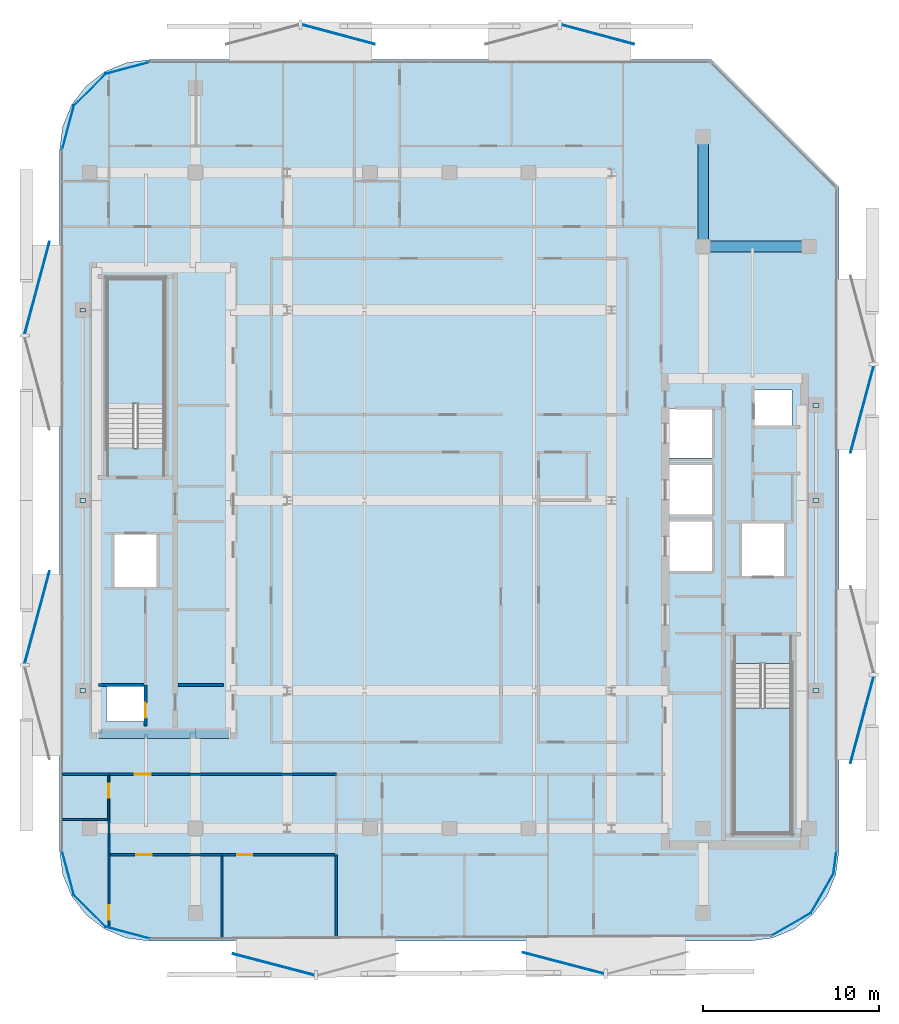
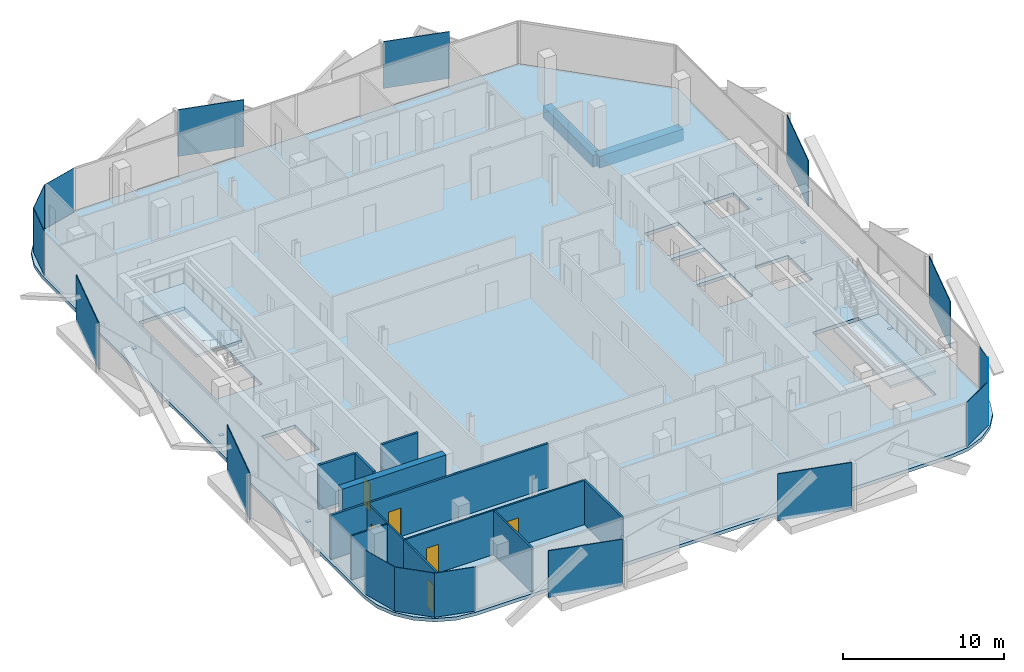
# One storey, part 2 of 15: 23 plates, 14 walls, 6 doors, 3 slabs, 2 beams, 6 openings, 2 elements without a shape of their own.
"""IFC4 building model written with IfcOpenShell, lengths in metres."""

from ifc_helpers import new_model, si_unit, direction, frame, frame_2d, origin, origin_2d, place, context, subcontext, project, spatial, polyline, rectangle, outline, extrude, material, layer, layer_set, material_profile, profile_set, type_object, element, fill, aggregate, save


model = new_model("IFC4")

# Units and contexts
model_context = context("Model", 3, precision=1e-05, world=origin(), true_north=direction((0.0, 1.0)))
body_context = subcontext(model_context, "Body", "Model", "MODEL_VIEW")
ifc_project = project(units=[si_unit("LENGTHUNIT", "METRE"), si_unit("AREAUNIT", "SQUARE_METRE"), si_unit("VOLUMEUNIT", "CUBIC_METRE"), si_unit("PLANEANGLEUNIT", "RADIAN"), si_unit("MASSUNIT", "GRAM", prefix="KILO")], contexts=[model_context])

# Site, building, storey
site_placement = place(None, origin())
site = spatial("IfcSite", under=ifc_project, at=site_placement, CompositionType="ELEMENT")
building_placement = place(site_placement, origin())
building = spatial("IfcBuilding", under=site, at=building_placement, Name="Khairoan Windgate Tower", CompositionType="ELEMENT")
storey_placement = place(building_placement, frame((0.0, 0.0, 254.800048828125)))
storey = spatial("IfcBuildingStorey", under=building, at=storey_placement, Name="L60", CompositionType="ELEMENT", Elevation=254.800048828125)

# Beams
ifc_material_1 = material(Name="Concrete C50/60", Category="concrete")
ifc_material_profile = material_profile(ifc_material_1, rectangle(XDim=0.60009765625, YDim=0.89990234375, at=origin_2d()))
ifc_profile_set = profile_set([ifc_material_profile], Name="Concrete C50/60")
beam_type = type_object("IfcBeamType", Name="Beam B-RC1 RC600x900", PredefinedType="BEAM", material=ifc_profile_set)
beam_1_placement = place(storey_placement, frame((14.39990234375, 14.39990234375, -0.7099609375), z_axis=(1.0, 0.0, 0.0), x_axis=(0.0, 1.0, 0.0)))
element("IfcBeam", 1, at=beam_1_placement, inside=storey, type_object=beam_type, Name="L60 E-W Primary Girder 21", PredefinedType="BEAM", context=body_context, shape_type="SweptSolid", body=[
    extrude(rectangle(XDim=0.60009765625, YDim=0.89990234375, at=origin_2d()), origin(), (0.0, 0.0, 1.0), 6.0),
])
beam_2_placement = place(storey_placement, frame((14.39990234375, 14.39990234375, -0.7099609375), z_axis=(0.0, 1.0, 0.0), x_axis=(-1.0, 0.0, 0.0)))
element("IfcBeam", 2, at=beam_2_placement, inside=storey, type_object=beam_type, Name="L60 N-S Primary Beam 53", PredefinedType="BEAM", context=body_context, shape_type="SweptSolid", body=[
    extrude(rectangle(XDim=0.60009765625, YDim=0.89990234375, at=origin_2d()), origin(), (0.0, 0.0, 1.0), 6.2001953125),
])

# Plates
ifc_material_2 = material(Name="Low-E Solar Control Laminated Glass", Category="glass")
ifc_layer_1 = layer(ifc_material_2, 0.030029296875, Name="Low-E Solar Control Laminated Glass")
ifc_layer_set_1 = layer_set([ifc_layer_1], Name="Low-E Solar Control Laminated Glass")
plate_type_1 = type_object("IfcPlateType", Name="Aerodynamic Wind-Corner Curved Glazing Plate", PredefinedType="USERDEFINED", material=ifc_layer_set_1)
plate_1_placement = place(storey_placement, frame((-18.235107421875, -24.527099609375, 0.0), z_axis=(0.0, 0.0, 1.0), x_axis=(-0.966061211211, 0.258313252067, 0.0)))
element("IfcPlate", 3, at=plate_1_placement, inside=storey, type_object=plate_type_1, Name="L60 Aerodynamic Wind-Corner Curved Glazing Panel 2", ObjectType="GLAZING PANEL", PredefinedType="USERDEFINED", context=body_context, shape_type="SweptSolid", body=[
    extrude(rectangle(XDim=2.6162109375, YDim=0.030029296875, at=origin_2d()), origin(), (0.0, 0.0, 1.0), 3.340087890625),
])
plate_2_placement = place(storey_placement, frame((-20.386962890625, -23.286865234375, 0.0), z_axis=(0.0, 0.0, 1.0), x_axis=(-0.707106781187, 0.707106781187, 0.0)))
element("IfcPlate", 4, at=plate_2_placement, inside=storey, type_object=plate_type_1, Name="L60 Aerodynamic Wind-Corner Curved Glazing Panel 3", ObjectType="GLAZING PANEL", PredefinedType="USERDEFINED", context=body_context, shape_type="SweptSolid", body=[
    extrude(rectangle(XDim=2.606689453125, YDim=0.030029296875, at=origin_2d()), origin(), (0.0, 0.0, 1.0), 3.340087890625),
])
for number, where, z_axis, x_axis, name in (
    (5, (-21.627197265625, -21.135009765625, 0.0), (0.0, 0.0, 1.0), (-0.258313252067, 0.966061211211, 0.0), "L60 Aerodynamic Wind-Corner Curved Glazing Panel 4"),
    (6, (-21.627197265625, 21.135009765625, 0.0), (0.0, 0.0, 1.0), (0.258313252067, 0.966061211211, 0.0), "L60 Aerodynamic Wind-Corner Curved Glazing Panel 6"),
):
    element("IfcPlate", number, at=place(storey_placement, frame(where, z_axis=z_axis, x_axis=x_axis)), inside=storey, type_object=plate_type_1, Name=name, ObjectType="GLAZING PANEL", PredefinedType="USERDEFINED", context=body_context, shape_type="SweptSolid", body=[
        extrude(rectangle(XDim=2.6162109375, YDim=0.030029296875, at=origin_2d()), origin(), (0.0, 0.0, 1.0), 3.340087890625),
    ])
plate_3_placement = place(storey_placement, frame((-20.386962890625, 23.286865234375, 0.0), z_axis=(0.0, 0.0, 1.0), x_axis=(0.707106781187, 0.707106781187, 0.0)))
element("IfcPlate", 7, at=plate_3_placement, inside=storey, type_object=plate_type_1, Name="L60 Aerodynamic Wind-Corner Curved Glazing Panel 7", ObjectType="GLAZING PANEL", PredefinedType="USERDEFINED", context=body_context, shape_type="SweptSolid", body=[
    extrude(rectangle(XDim=2.606689453125, YDim=0.030029296875, at=origin_2d()), origin(), (0.0, 0.0, 1.0), 3.340087890625),
])
plate_4_placement = place(storey_placement, frame((-18.235107421875, 24.527099609375, 0.0), z_axis=(0.0, 0.0, 1.0), x_axis=(0.966061211211, 0.258313252067, 0.0)))
element("IfcPlate", 8, at=plate_4_placement, inside=storey, type_object=plate_type_1, Name="L60 Aerodynamic Wind-Corner Curved Glazing Panel 8", ObjectType="GLAZING PANEL", PredefinedType="USERDEFINED", context=body_context, shape_type="SweptSolid", body=[
    extrude(rectangle(XDim=2.6162109375, YDim=0.030029296875, at=origin_2d()), origin(), (0.0, 0.0, 1.0), 3.340087890625),
])
plate_5_placement = place(storey_placement, frame((21.875, -20.537109375, 0.0), z_axis=(0.0, 0.0, 1.0), x_axis=(-0.13052619222, -0.991444861374, 0.0)))
element("IfcPlate", 9, at=plate_5_placement, inside=storey, type_object=plate_type_1, Name="L60 Aerodynamic Wind-Corner Curved Glazing Panel 12", ObjectType="GLAZING PANEL", PredefinedType="USERDEFINED", context=body_context, shape_type="SweptSolid", body=[
    extrude(rectangle(XDim=1.343994140625, YDim=0.030029296875, at=origin_2d()), origin(), (0.0, 0.0, 1.0), 3.340087890625),
])
for number, where, z_axis, x_axis, name in (
    (10, (21.148193359375, -22.294921875, 0.0), (0.0, 0.0, 1.0), (-0.5, -0.866025403784, 0.0), "L60 Aerodynamic Wind-Corner Curved Glazing Panel 13"),
    (11, (19.39501953125, -24.048095703125, 0.0), (0.0, 0.0, 1.0), (-0.866025403784, -0.5, 0.0), "L60 Aerodynamic Wind-Corner Curved Glazing Panel 14"),
):
    element("IfcPlate", number, at=place(storey_placement, frame(where, z_axis=z_axis, x_axis=x_axis)), inside=storey, type_object=plate_type_1, Name=name, ObjectType="GLAZING PANEL", PredefinedType="USERDEFINED", context=body_context, shape_type="SweptSolid", body=[
        extrude(rectangle(XDim=2.606689453125, YDim=0.030029296875, at=origin_2d()), origin(), (0.0, 0.0, 1.0), 3.340087890625),
    ])
ifc_material_3 = material(Name="Steel S355", Category="steel")
ifc_layer_2 = layer(ifc_material_3, 0.0400390625, Name="Steel S355")
ifc_layer_set_2 = layer_set([ifc_layer_2], Name="Steel S355")
plate_type_2 = type_object("IfcPlateType", Name="Hollow Section End-Cap Plate PL-CAP40", PredefinedType="SHEET", material=ifc_layer_set_2)
for number, where, z_axis, x_axis, name in (
    (12, (-20.800048828125, -10.784912109375, -0.43017578125), (0.0, 0.0, 1.0), (0.0, 1.0, 0.0), "BM-SP-L60-028 steel end-cap plate 1"),
    (13, (-20.800048828125, -0.014892578125, -0.43017578125), (0.0, 0.0, 1.0), (0.0, 1.0, 0.0), "BM-SP-L60-028 steel end-cap plate 2"),
    (14, (-20.800048828125, 10.784912109375, -0.43017578125), (0.0, 0.0, 1.0), (0.0, 1.0, 0.0), "BM-SP-L60-029 steel end-cap plate 2"),
    (15, (20.800048828125, -10.784912109375, -0.43017578125), (0.0, 0.0, 1.0), (0.0, 1.0, 0.0), "BM-SP-L60-057 steel end-cap plate 1"),
    (16, (20.800048828125, -0.014892578125, -0.43017578125), (0.0, 0.0, 1.0), (0.0, 1.0, 0.0), "BM-SP-L60-057 steel end-cap plate 2"),
    (17, (20.800048828125, 5.385009765625, -0.43017578125), (0.0, 0.0, 1.0), (0.0, 1.0, 0.0), "BM-SP-L60-058 steel end-cap plate 2"),
):
    element("IfcPlate", number, at=place(storey_placement, frame(where, z_axis=z_axis, x_axis=x_axis)), inside=storey, type_object=plate_type_2, Name=name, PredefinedType="SHEET", context=body_context, shape_type="SweptSolid", body=[
        extrude(rectangle(XDim=0.219970703125, YDim=0.320068359375, at=origin_2d()), origin(), (0.0, 0.0, 1.0), 0.0400390625),
    ])
ifc_material_4 = material(Name="Anodised Bronze Aluminium 6063-T6", Category="aluminium")
ifc_layer_3 = layer(ifc_material_4, 0.054931640625, Name="Anodised Bronze Aluminium 6063-T6")
ifc_layer_set_3 = layer_set([ifc_layer_3], Name="Anodised Bronze Aluminium 6063-T6")
plate_type_3 = type_object("IfcPlateType", Name="Perforated Bronze Solar Screen Upper Panel BSP-2", PredefinedType="USERDEFINED", material=ifc_layer_set_3)
for number, where, z_axis, x_axis, name in (
    (18, (6.47998046875, -26.25, -0.10009765625), (0.0, 0.0, 1.0), (-0.967179115616, 0.254095569259, 0.0), "L60 Perforated Bronze Solar Screen Panel 409R"),
    (19, (-9.957275390625, -26.3291015625, -0.10009765625), (0.0, 0.0, 1.0), (-0.967179115616, 0.254095569259, 0.0), "L60 Perforated Bronze Solar Screen Panel 410R"),
):
    element("IfcPlate", number, at=place(storey_placement, frame(where, z_axis=z_axis, x_axis=x_axis)), inside=storey, type_object=plate_type_3, Name=name, ObjectType="SCREEN", PredefinedType="USERDEFINED", context=body_context, shape_type="SweptSolid", body=[
        extrude(rectangle(XDim=4.76708984375, YDim=0.054931640625, at=origin_2d()), origin(), (0.0, 0.0, 1.0), 3.5400390625),
    ])
for number, where, z_axis, x_axis, name in (
    (20, (-23.378662109375, -6.6376953125, -0.10009765625), (0.0, 0.0, 1.0), (0.258819045103, 0.965925826289, 0.0), "L60 Perforated Bronze Solar Screen Panel 411R"),
    (21, (-23.378662109375, 12.052978515625, -0.10009765625), (0.0, 0.0, 1.0), (0.258819045103, 0.965925826289, 0.0), "L60 Perforated Bronze Solar Screen Panel 412R"),
):
    element("IfcPlate", number, at=place(storey_placement, frame(where, z_axis=z_axis, x_axis=x_axis)), inside=storey, type_object=plate_type_3, Name=name, ObjectType="SCREEN", PredefinedType="USERDEFINED", context=body_context, shape_type="SweptSolid", body=[
        extrude(rectangle(XDim=5.419921875, YDim=0.054931640625, at=origin_2d()), origin(), (0.0, 0.0, 1.0), 3.5400390625),
    ])
for number, where, z_axis, x_axis, name in (
    (22, (-6.287841796875, 26.427978515625, -0.10009765625), (0.0, 0.0, 1.0), (0.965925826289, -0.258819045103, 0.0), "L60 Perforated Bronze Solar Screen Panel 413R"),
    (23, (8.418701171875, 26.427978515625, -0.10009765625), (0.0, 0.0, 1.0), (0.965925826289, -0.258819045103, 0.0), "L60 Perforated Bronze Solar Screen Panel 414R"),
):
    element("IfcPlate", number, at=place(storey_placement, frame(where, z_axis=z_axis, x_axis=x_axis)), inside=storey, type_object=plate_type_3, Name=name, ObjectType="SCREEN", PredefinedType="USERDEFINED", context=body_context, shape_type="SweptSolid", body=[
        extrude(rectangle(XDim=4.264892578125, YDim=0.054931640625, at=origin_2d()), origin(), (0.0, 0.0, 1.0), 3.5400390625),
    ])
for number, where, z_axis, x_axis, name in (
    (24, (23.419189453125, 5.162841796875, -0.10009765625), (0.0, 0.0, 1.0), (-0.258819045103, -0.965925826289, 0.0), "L60 Perforated Bronze Solar Screen Panel 415R"),
    (25, (23.419189453125, -12.443603515625, -0.10009765625), (0.0, 0.0, 1.0), (-0.258819045103, -0.965925826289, 0.0), "L60 Perforated Bronze Solar Screen Panel 416R"),
):
    element("IfcPlate", number, at=place(storey_placement, frame(where, z_axis=z_axis, x_axis=x_axis)), inside=storey, type_object=plate_type_3, Name=name, ObjectType="SCREEN", PredefinedType="USERDEFINED", context=body_context, shape_type="SweptSolid", body=[
        extrude(rectangle(XDim=5.10595703125, YDim=0.054931640625, at=origin_2d()), origin(), (0.0, 0.0, 1.0), 3.5400390625),
    ])

# Stair, slab
ifc_material_5 = material(Name="Concrete C40/50", Category="concrete")
stair_type = type_object("IfcStairType", Name="Tower Core Dog-Leg Stair ST-T1 1560mm", PredefinedType="HALF_TURN_STAIR", material=ifc_material_5)
stair_1_placement = place(storey_placement, origin())
stair_1 = element("IfcStair", 26, at=stair_1_placement, inside=storey, type_object=stair_type, Name="L60 Stair ST1", PredefinedType="HALF_TURN_STAIR")
ifc_material_6 = material(Name="Concrete C40/50", Category="concrete")
ifc_layer_4 = layer(ifc_material_6, 0.199951171875, Name="Concrete C40/50")
ifc_layer_set_4 = layer_set([ifc_layer_4], Name="Concrete C40/50")
slab_type_1 = type_object("IfcSlabType", Name="Reinforced Concrete Stair Landing Slab STL-200", PredefinedType="LANDING", material=ifc_layer_set_4)
slab_1_placement = place(storey_placement, frame((0.0, 0.0, 1.599853515625)))
slab_1 = element("IfcSlab", 27, at=slab_1_placement, type_object=slab_type_1, Name="ST1 landing 1", PredefinedType="LANDING", context=body_context, shape_type="SweptSolid", body=[
    extrude(outline(polyline([(16.14990234375, -11.780029296875), (16.14990234375, -18.89990234375), (19.419921875, -18.89990234375), (19.419921875, -11.780029296875), (16.14990234375, -11.780029296875)])), origin(), (0.0, 0.0, 1.0), 0.2001953125),
])
aggregate(stair_1, [slab_1])

stair_2_placement = place(storey_placement, origin())
stair_2 = element("IfcStair", 28, at=stair_2_placement, inside=storey, type_object=stair_type, Name="L60 Stair ST2", PredefinedType="HALF_TURN_STAIR")
slab_2_placement = place(storey_placement, frame((0.0, 0.0, 1.599853515625)))
slab_2 = element("IfcSlab", 29, at=slab_2_placement, type_object=slab_type_1, Name="ST2 landing 1", PredefinedType="LANDING", context=body_context, shape_type="SweptSolid", body=[
    extrude(outline(polyline([(-16.14990234375, 5.47998046875), (-16.14990234375, 12.60009765625), (-19.419921875, 12.60009765625), (-19.419921875, 5.47998046875), (-16.14990234375, 5.47998046875)])), origin(), (0.0, 0.0, 1.0), 0.2001953125),
])
aggregate(stair_2, [slab_2])

# Slab
ifc_material_7 = material(Name="Concrete C40/50", Category="concrete")
ifc_layer_5 = layer(ifc_material_7, 0.260009765625, Name="Concrete C40/50")
ifc_layer_set_5 = layer_set([ifc_layer_5], Name="Concrete C40/50")
slab_type_2 = type_object("IfcSlabType", Name="Tower Composite Floor Slab FS2 260mm", PredefinedType="FLOOR", material=ifc_layer_set_5)
slab_3_placement = place(storey_placement, frame((0.0, 0.0, -0.260009765625)))
element("IfcSlab", 30, at=slab_3_placement, inside=storey, type_object=slab_type_2, Name="L60 Structural Floor Slab", PredefinedType="FLOOR", context=body_context, shape_type="SweptSolid", body=[
    extrude(outline(polyline([(17.0, -25.0), (18.320068359375, -24.826171875), (19.550048828125, -24.316650390625), (20.606201171875, -23.506103515625), (21.416748046875, -22.449951171875), (21.92626953125, -21.219970703125), (22.10009765625, -19.89990234375), (22.10009765625, 17.780029296875), (14.8798828125, 25.0), (-17.0, 25.0), (-18.320068359375, 24.826171875), (-19.550048828125, 24.316650390625), (-20.606201171875, 23.506103515625), (-21.416748046875, 22.449951171875), (-21.92626953125, 21.219970703125), (-22.10009765625, 19.89990234375), (-22.10009765625, -19.89990234375), (-21.92626953125, -21.219970703125), (-21.416748046875, -22.449951171875), (-20.606201171875, -23.506103515625), (-19.550048828125, -24.316650390625), (-18.320068359375, -24.826171875), (-17.0, -25.0), (17.0, -25.0)]), holes=[polyline([(16.14990234375, -9.260009765625), (16.14990234375, -18.89990234375), (19.419921875, -18.89990234375), (19.419921875, -9.260009765625), (16.14990234375, -9.260009765625)]), polyline([(-16.14990234375, 2.9599609375), (-16.14990234375, 12.60009765625), (-19.419921875, 12.60009765625), (-19.419921875, 2.9599609375), (-16.14990234375, 2.9599609375)]), polyline([(12.5, 2.39990234375), (14.89990234375, 2.39990234375), (14.89990234375, 5.199951171875), (12.5, 5.199951171875), (12.5, 2.39990234375)]), polyline([(12.5, -0.800048828125), (14.89990234375, -0.800048828125), (14.89990234375, 2.0), (12.5, 2.0), (12.5, -0.800048828125)]), polyline([(12.5, -4.0), (14.89990234375, -4.0), (14.89990234375, -1.199951171875), (12.5, -1.199951171875), (12.5, -4.0)]), polyline([(16.60009765625, -4.300048828125), (19.0, -4.300048828125), (19.0, -1.300048828125), (16.60009765625, -1.300048828125), (16.60009765625, -4.300048828125)]), polyline([(-19.0, -4.89990234375), (-16.60009765625, -4.89990234375), (-16.60009765625, -1.89990234375), (-19.0, -1.89990234375), (-19.0, -4.89990234375)]), polyline([(-19.449951171875, -12.550048828125), (-17.31005859375, -12.550048828125), (-17.31005859375, -10.550048828125), (-19.449951171875, -10.550048828125), (-19.449951171875, -12.550048828125)]), polyline([(17.31005859375, 4.25), (19.449951171875, 4.25), (19.449951171875, 6.25), (17.31005859375, 6.25), (17.31005859375, 4.25)])]), origin(), (0.0, 0.0, 1.0), 0.260009765625),
])

# Wall
ifc_material_8 = material(Name="Moisture-Resistant Gypsum Partition", Category="gypsum")
ifc_layer_6 = layer(ifc_material_8, 0.10009765625, Name="Moisture-Resistant Gypsum Partition")
ifc_layer_set_6 = layer_set([ifc_layer_6], Name="Moisture-Resistant Gypsum Partition")
wall_type_1 = type_object("IfcWallType", Name="Bathroom Wet-Area Partition Wall", PredefinedType="PARTITIONING", material=ifc_layer_set_6)
wall_1_placement = place(storey_placement, frame((-21.955078125, -18.10009765625, 0.0), z_axis=(0.0, 0.0, 1.0), x_axis=(1.0, 0.0, 0.0)))
element("IfcWall", 31, at=wall_1_placement, inside=storey, type_object=wall_type_1, Name="L60 Interior Partition 062", PredefinedType="PARTITIONING", context=body_context, shape_type="SweptSolid", body=[
    extrude(rectangle(XDim=2.594970703125, YDim=0.10009765625, at=frame_2d((1.29736328125, 0.0))), origin(), (0.0, 0.0, 1.0), 3.33984375),
])

# Wall, opening, door
wall_2_placement = place(storey_placement, frame((-19.31005859375, -18.10009765625, 0.0), z_axis=(0.0, 0.0, 1.0), x_axis=(0.0, 1.0, 0.0)))
wall_2 = element("IfcWall", 32, at=wall_2_placement, inside=storey, type_object=wall_type_1, Name="L60 Interior Partition 063", PredefinedType="PARTITIONING", context=body_context, shape_type="SweptSolid", body=[
    extrude(rectangle(XDim=2.5, YDim=0.10009765625, at=frame_2d((1.25, 0.0))), origin(), (0.0, 0.0, 1.0), 3.33984375),
])
opening_1_placement = place(wall_2_placement, frame((1.239990234375, 0.0, 0.0)))
opening_1 = element("IfcOpeningElement", 33, at=opening_1_placement, cuts=wall_2, Name="Opening ID-BTH", PredefinedType="OPENING", context=body_context, shape_type="SweptSolid", body=[
    extrude(rectangle(XDim=0.800048828125, YDim=2.10009765625, at=frame_2d((0.39990234375, 1.050048828125))), frame((0.0, 0.06005859375, 0.0), z_axis=(0.0, -1.0, 0.0), x_axis=(1.0, 0.0, 0.0)), (0.0, 0.0, 1.0), 0.1201171875),
])
ifc_material_9 = material(Name="Teak Veneer Timber Leaf", Category="wood")
door_type_1 = type_object("IfcDoorType", Name="Internal Bathroom Door ID-BTH 800x2100", OperationType="NOTDEFINED", PredefinedType="DOOR", material=ifc_material_9)
door_1_placement = place(opening_1_placement, origin())
door_1 = element("IfcDoor", 34, at=door_1_placement, inside=storey, type_object=door_type_1, Name="L60 L60-45-L60-47 Door", OperationType="SINGLE_SWING_LEFT", OverallHeight=2.10009765625, OverallWidth=0.800048828125, PredefinedType="DOOR", context=body_context, shape_type="SweptSolid", body=[
    extrude(rectangle(XDim=0.800048828125, YDim=2.10009765625, at=frame_2d((0.39990234375, 1.050048828125))), frame((0.0, 0.02490234375, 0.0), z_axis=(0.0, -1.0, 0.0), x_axis=(1.0, 0.0, 0.0)), (0.0, 0.0, 1.0), 0.050048828125),
])
fill(opening_1, door_1)

# Walls
ifc_material_10 = material(Name="Concrete C40/50", Category="concrete")
ifc_layer_7 = layer(ifc_material_10, 0.159912109375, Name="Concrete C40/50")
ifc_layer_set_7 = layer_set([ifc_layer_7], Name="Concrete C40/50")
wall_type_2 = type_object("IfcWallType", Name="Core and Hoistway Enclosure Wall", PredefinedType="STANDARD", material=ifc_layer_set_7)
wall_3_placement = place(storey_placement, frame((-15.39990234375, -10.47998046875, 0.0), z_axis=(0.0, 0.0, 1.0), x_axis=(1.0, 0.0, 0.0)))
element("IfcWall", 35, at=wall_3_placement, inside=storey, type_object=wall_type_2, Name="L60 Core Shaft Wall SW-WSV-L60", PredefinedType="STANDARD", context=body_context, shape_type="SweptSolid", body=[
    extrude(rectangle(XDim=2.599853515625, YDim=0.159912109375, at=frame_2d((1.2998046875, 0.0))), origin(), (0.0, 0.0, 1.0), 3.33984375),
])
ifc_material_11 = material(Name="Acoustic Fire-Rated Gypsum Partition", Category="gypsum")
ifc_layer_8 = layer(ifc_material_11, 0.139892578125, Name="Acoustic Fire-Rated Gypsum Partition")
ifc_layer_set_8 = layer_set([ifc_layer_8], Name="Acoustic Fire-Rated Gypsum Partition")
wall_type_3 = type_object("IfcWallType", Name="Inter-Tenancy Compartment Wall", PredefinedType="PARTITIONING", material=ifc_layer_set_8)
wall_4_placement = place(storey_placement, frame((-6.39990234375, -24.803955078125, 0.0), z_axis=(0.0, 0.0, 1.0), x_axis=(0.0, 1.0, 0.0)))
element("IfcWall", 36, at=wall_4_placement, inside=storey, type_object=wall_type_3, Name="L60 Interior Partition 071", PredefinedType="PARTITIONING", context=body_context, shape_type="SweptSolid", body=[
    extrude(rectangle(XDim=4.703857421875, YDim=0.139892578125, at=frame_2d((2.35205078125, 0.0))), origin(), (0.0, 0.0, 1.0), 3.33984375),
])
ifc_material_12 = material(Name="Gypsum Stud Partition", Category="gypsum")
ifc_layer_9 = layer(ifc_material_12, 0.1201171875, Name="Gypsum Stud Partition")
ifc_layer_set_9 = layer_set([ifc_layer_9], Name="Gypsum Stud Partition")
wall_type_4 = type_object("IfcWallType", Name="Internal Room Partition Wall", PredefinedType="PARTITIONING", material=ifc_layer_set_9)
wall_5_placement = place(storey_placement, frame((-19.31005859375, -20.10009765625, 0.0), z_axis=(0.0, 0.0, 1.0), x_axis=(0.0, 1.0, 0.0)))
element("IfcWall", 37, at=wall_5_placement, inside=storey, type_object=wall_type_4, Name="L60 Interior Partition 064", PredefinedType="PARTITIONING", context=body_context, shape_type="SweptSolid", body=[
    extrude(rectangle(XDim=2.0, YDim=0.1201171875, at=frame_2d((1.0, 0.0))), origin(), (0.0, 0.0, 1.0), 3.33984375),
])

# Wall, opening, door
wall_6_placement = place(storey_placement, frame((-19.31005859375, -24.234619140625, 0.0), z_axis=(0.0, 0.0, 1.0), x_axis=(0.0, 1.0, 0.0)))
wall_6 = element("IfcWall", 38, at=wall_6_placement, inside=storey, type_object=wall_type_4, Name="L60 Interior Partition 065", PredefinedType="PARTITIONING", context=body_context, shape_type="SweptSolid", body=[
    extrude(rectangle(XDim=4.134521484375, YDim=0.1201171875, at=frame_2d((2.0673828125, 0.0))), origin(), (0.0, 0.0, 1.0), 3.33984375),
])
opening_2_placement = place(wall_6_placement, frame((0.4599609375, 0.0, 0.0)))
opening_2 = element("IfcOpeningElement", 39, at=opening_2_placement, cuts=wall_6, Name="Opening ID-BTH", PredefinedType="OPENING", context=body_context, shape_type="SweptSolid", body=[
    extrude(rectangle(XDim=0.800048828125, YDim=2.10009765625, at=frame_2d((0.39990234375, 1.050048828125))), frame((0.0, 0.070068359375, 0.0), z_axis=(0.0, -1.0, 0.0), x_axis=(1.0, 0.0, 0.0)), (0.0, 0.0, 1.0), 0.14013671875),
])
door_2_placement = place(opening_2_placement, origin())
door_2 = element("IfcDoor", 40, at=door_2_placement, inside=storey, type_object=door_type_1, Name="L60 L60-46-L60-48 Door", OperationType="SINGLE_SWING_RIGHT", OverallHeight=2.10009765625, OverallWidth=0.800048828125, PredefinedType="DOOR", context=body_context, shape_type="SweptSolid", body=[
    extrude(rectangle(XDim=0.800048828125, YDim=2.10009765625, at=frame_2d((0.39990234375, 1.050048828125))), frame((0.0, 0.02490234375, 0.0), z_axis=(0.0, -1.0, 0.0), x_axis=(1.0, 0.0, 0.0)), (0.0, 0.0, 1.0), 0.050048828125),
])
fill(opening_2, door_2)

wall_7_placement = place(storey_placement, frame((-19.25, -20.10009765625, 0.0), z_axis=(0.0, 0.0, 1.0), x_axis=(1.0, 0.0, 0.0)))
wall_7 = element("IfcWall", 41, at=wall_7_placement, inside=storey, type_object=wall_type_4, Name="L60 Interior Partition 066", PredefinedType="PARTITIONING", context=body_context, shape_type="SweptSolid", body=[
    extrude(rectangle(XDim=6.35498046875, YDim=0.1201171875, at=frame_2d((3.177490234375, 0.0))), origin(), (0.0, 0.0, 1.0), 3.33984375),
])
opening_3_placement = place(wall_7_placement, frame((1.499755859375, 0.0, 0.0)))
opening_3 = element("IfcOpeningElement", 42, at=opening_3_placement, cuts=wall_7, Name="Opening ID-RM", PredefinedType="OPENING", context=body_context, shape_type="SweptSolid", body=[
    extrude(rectangle(XDim=0.860107421875, YDim=2.14990234375, at=frame_2d((0.43017578125, 1.074951171875))), frame((0.0, 0.070068359375, 0.0), z_axis=(0.0, -1.0, 0.0), x_axis=(1.0, 0.0, 0.0)), (0.0, 0.0, 1.0), 0.14013671875),
])
ifc_material_13 = material(Name="Teak Veneer Timber Leaf", Category="wood")
door_type_2 = type_object("IfcDoorType", Name="Internal Bedroom and Office Door ID-RM 860x2150", OperationType="NOTDEFINED", PredefinedType="DOOR", material=ifc_material_13)
door_3_placement = place(opening_3_placement, origin())
door_3 = element("IfcDoor", 43, at=door_3_placement, inside=storey, type_object=door_type_2, Name="L60 L60-47-L60-48 Door", OperationType="SINGLE_SWING_LEFT", OverallHeight=2.14990234375, OverallWidth=0.860107421875, PredefinedType="DOOR", context=body_context, shape_type="SweptSolid", body=[
    extrude(rectangle(XDim=0.860107421875, YDim=2.14990234375, at=frame_2d((0.43017578125, 1.074951171875))), frame((0.0, 0.02490234375, 0.0), z_axis=(0.0, -1.0, 0.0), x_axis=(1.0, 0.0, 0.0)), (0.0, 0.0, 1.0), 0.050048828125),
])
fill(opening_3, door_3)

wall_8_placement = place(storey_placement, frame((-12.89501953125, -20.10009765625, 0.0), z_axis=(0.0, 0.0, 1.0), x_axis=(1.0, 0.0, 0.0)))
wall_8 = element("IfcWall", 44, at=wall_8_placement, inside=storey, type_object=wall_type_4, Name="L60 Interior Partition 067", PredefinedType="PARTITIONING", context=body_context, shape_type="SweptSolid", body=[
    extrude(rectangle(XDim=6.425048828125, YDim=0.1201171875, at=frame_2d((3.21240234375, 0.0))), origin(), (0.0, 0.0, 1.0), 3.33984375),
])
opening_4_placement = place(wall_8_placement, frame((0.864013671875, 0.0, 0.0)))
opening_4 = element("IfcOpeningElement", 45, at=opening_4_placement, cuts=wall_8, Name="Opening ID-RM", PredefinedType="OPENING", context=body_context, shape_type="SweptSolid", body=[
    extrude(rectangle(XDim=0.860107421875, YDim=2.14990234375, at=frame_2d((0.43017578125, 1.074951171875))), frame((0.0, 0.070068359375, 0.0), z_axis=(0.0, -1.0, 0.0), x_axis=(1.0, 0.0, 0.0)), (0.0, 0.0, 1.0), 0.14013671875),
])
door_4_placement = place(opening_4_placement, origin())
door_4 = element("IfcDoor", 46, at=door_4_placement, inside=storey, type_object=door_type_2, Name="L60 L60-47-L60-49 Door", OperationType="SINGLE_SWING_RIGHT", OverallHeight=2.14990234375, OverallWidth=0.860107421875, PredefinedType="DOOR", context=body_context, shape_type="SweptSolid", body=[
    extrude(rectangle(XDim=0.860107421875, YDim=2.14990234375, at=frame_2d((0.43017578125, 1.074951171875))), frame((0.0, 0.02490234375, 0.0), z_axis=(0.0, -1.0, 0.0), x_axis=(1.0, 0.0, 0.0)), (0.0, 0.0, 1.0), 0.050048828125),
])
fill(opening_4, door_4)

# Wall
wall_9_placement = place(storey_placement, frame((-12.89501953125, -24.835205078125, 0.0), z_axis=(0.0, 0.0, 1.0), x_axis=(0.0, 1.0, 0.0)))
element("IfcWall", 47, at=wall_9_placement, inside=storey, type_object=wall_type_4, Name="L60 Interior Partition 070", PredefinedType="PARTITIONING", context=body_context, shape_type="SweptSolid", body=[
    extrude(rectangle(XDim=4.67529296875, YDim=0.1201171875, at=frame_2d((2.337646484375, 0.0))), origin(), (0.0, 0.0, 1.0), 3.33984375),
])

# Wall, opening, door
ifc_material_14 = material(Name="Concrete C40/50", Category="concrete")
ifc_layer_10 = layer(ifc_material_14, 0.159912109375, Name="Concrete C40/50")
ifc_layer_set_10 = layer_set([ifc_layer_10], Name="Concrete C40/50")
wall_type_5 = type_object("IfcWallType", Name="Plant and Refuge Compartment Wall", PredefinedType="PARTITIONING", material=ifc_layer_set_10)
wall_10_placement = place(storey_placement, frame((-17.22998046875, -12.7900390625, 0.0), z_axis=(0.0, 0.0, 1.0), x_axis=(0.0, 1.0, 0.0)))
wall_10 = element("IfcWall", 48, at=wall_10_placement, inside=storey, type_object=wall_type_5, Name="L60 Interior Partition 001", PredefinedType="PARTITIONING", context=body_context, shape_type="SweptSolid", body=[
    extrude(rectangle(XDim=2.320068359375, YDim=0.159912109375, at=frame_2d((1.16015625, 0.0))), origin(), (0.0, 0.0, 1.0), 3.33984375),
])
opening_5_placement = place(wall_10_placement, frame((0.4599609375, 0.0, 0.0)))
opening_5 = element("IfcOpeningElement", 49, at=opening_5_placement, cuts=wall_10, Name="Opening FD-SRV", PredefinedType="OPENING", context=body_context, shape_type="SweptSolid", body=[
    extrude(rectangle(XDim=0.85009765625, YDim=2.10009765625, at=frame_2d((0.425048828125, 1.050048828125))), frame((0.0, 0.08984375, 0.0), z_axis=(0.0, -1.0, 0.0), x_axis=(1.0, 0.0, 0.0)), (0.0, 0.0, 1.0), 0.179931640625),
])
ifc_material_15 = material(Name="Steel S355", Category="steel")
door_type_3 = type_object("IfcDoorType", Name="Core Service and Riser Fire Door FD-SRV 850x2100", OperationType="NOTDEFINED", PredefinedType="DOOR", material=ifc_material_15)
door_5_placement = place(opening_5_placement, origin())
door_5 = element("IfcDoor", 50, at=door_5_placement, inside=storey, type_object=door_type_3, Name="L60 L60-04-L60-05 Door", OperationType="SINGLE_SWING_RIGHT", OverallHeight=2.10009765625, OverallWidth=0.85009765625, PredefinedType="DOOR", context=body_context, shape_type="SweptSolid", body=[
    extrude(rectangle(XDim=0.85009765625, YDim=2.10009765625, at=frame_2d((0.425048828125, 1.050048828125))), frame((0.0, 0.02490234375, 0.0), z_axis=(0.0, -1.0, 0.0), x_axis=(1.0, 0.0, 0.0)), (0.0, 0.0, 1.0), 0.050048828125),
])
fill(opening_5, door_5)

# Walls
wall_11_placement = place(storey_placement, frame((-19.89990234375, -10.469970703125, 0.0), z_axis=(0.0, 0.0, 1.0), x_axis=(1.0, 0.0, 0.0)))
element("IfcWall", 51, at=wall_11_placement, inside=storey, type_object=wall_type_5, Name="L60 Interior Partition 003", PredefinedType="PARTITIONING", context=body_context, shape_type="SweptSolid", body=[
    extrude(rectangle(XDim=2.58984375, YDim=0.159912109375, at=frame_2d((1.294921875, 0.0))), origin(), (0.0, 0.0, 1.0), 3.33984375),
])
ifc_material_16 = material(Name="Acoustic Fire-Rated Gypsum Partition", Category="gypsum")
ifc_layer_11 = layer(ifc_material_16, 0.14990234375, Name="Acoustic Fire-Rated Gypsum Partition")
ifc_layer_set_11 = layer_set([ifc_layer_11], Name="Acoustic Fire-Rated Gypsum Partition")
wall_type_6 = type_object("IfcWallType", Name="Rated Corridor Partition Wall", PredefinedType="PARTITIONING", material=ifc_layer_set_11)
wall_12_placement = place(storey_placement, frame((-21.955078125, -15.52490234375, 0.0), z_axis=(0.0, 0.0, 1.0), x_axis=(1.0, 0.0, 0.0)))
element("IfcWall", 52, at=wall_12_placement, inside=storey, type_object=wall_type_6, Name="L60 Interior Partition 033", PredefinedType="PARTITIONING", context=body_context, shape_type="SweptSolid", body=[
    extrude(rectangle(XDim=2.64501953125, YDim=0.14990234375, at=frame_2d((1.322509765625, 0.0))), origin(), (0.0, 0.0, 1.0), 3.33984375),
])

# Wall, opening, door
wall_13_placement = place(storey_placement, frame((-19.31005859375, -15.52490234375, 0.0), z_axis=(0.0, 0.0, 1.0), x_axis=(1.0, 0.0, 0.0)))
wall_13 = element("IfcWall", 53, at=wall_13_placement, inside=storey, type_object=wall_type_6, Name="L60 Interior Partition 034", PredefinedType="PARTITIONING", context=body_context, shape_type="SweptSolid", body=[
    extrude(rectangle(XDim=12.91015625, YDim=0.14990234375, at=frame_2d((6.455078125, 0.0))), origin(), (0.0, 0.0, 1.0), 3.33984375),
])
opening_6_placement = place(wall_13_placement, frame((1.46826171875, 0.0, 0.0)))
opening_6 = element("IfcOpeningElement", 54, at=opening_6_placement, cuts=wall_13, Name="Opening FD-ENT", PredefinedType="OPENING", context=body_context, shape_type="SweptSolid", body=[
    extrude(rectangle(XDim=0.89990234375, YDim=2.14990234375, at=frame_2d((0.449951171875, 1.074951171875))), frame((0.0, 0.0849609375, 0.0), z_axis=(0.0, -1.0, 0.0), x_axis=(1.0, 0.0, 0.0)), (0.0, 0.0, 1.0), 0.169921875),
])
ifc_material_17 = material(Name="Timber Fire-Rated Core", Category="wood")
door_type_4 = type_object("IfcDoorType", Name="Unit and Office Fire Entrance Door FD-ENT 900x2150", OperationType="NOTDEFINED", PredefinedType="DOOR", material=ifc_material_17)
door_6_placement = place(opening_6_placement, origin())
door_6 = element("IfcDoor", 55, at=door_6_placement, inside=storey, type_object=door_type_4, Name="L60 L60-32-L60-47 Door", OperationType="SINGLE_SWING_RIGHT", OverallHeight=2.14990234375, OverallWidth=0.89990234375, PredefinedType="DOOR", context=body_context, shape_type="SweptSolid", body=[
    extrude(rectangle(XDim=0.89990234375, YDim=2.14990234375, at=frame_2d((0.449951171875, 1.074951171875))), frame((0.0, 0.02490234375, 0.0), z_axis=(0.0, -1.0, 0.0), x_axis=(1.0, 0.0, 0.0)), (0.0, 0.0, 1.0), 0.050048828125),
])
fill(opening_6, door_6)

# Wall
ifc_material_18 = material(Name="Concrete C50/60", Category="concrete")
ifc_layer_12 = layer(ifc_material_18, 0.5, Name="Concrete C50/60")
ifc_layer_set_12 = layer_set([ifc_layer_12], Name="Concrete C50/60")
wall_type_7 = type_object("IfcWallType", Name="Shear Wall CW-W3 500mm", PredefinedType="SHEAR", material=ifc_layer_set_12)
wall_14_placement = place(storey_placement, frame((-19.89990234375, -13.25, 0.0), z_axis=(0.0, 0.0, 1.0), x_axis=(1.0, 0.0, 0.0)))
element("IfcWall", 56, at=wall_14_placement, inside=storey, type_object=wall_type_7, Name="W Core South Shear Wall L60", PredefinedType="SHEAR", context=body_context, shape_type="SweptSolid", body=[
    extrude(rectangle(XDim=7.39990234375, YDim=0.5, at=frame_2d((3.699951171875, 0.0))), origin(), (0.0, 0.0, 1.0), 3.33984375),
])

save(model, "model.ifc")
